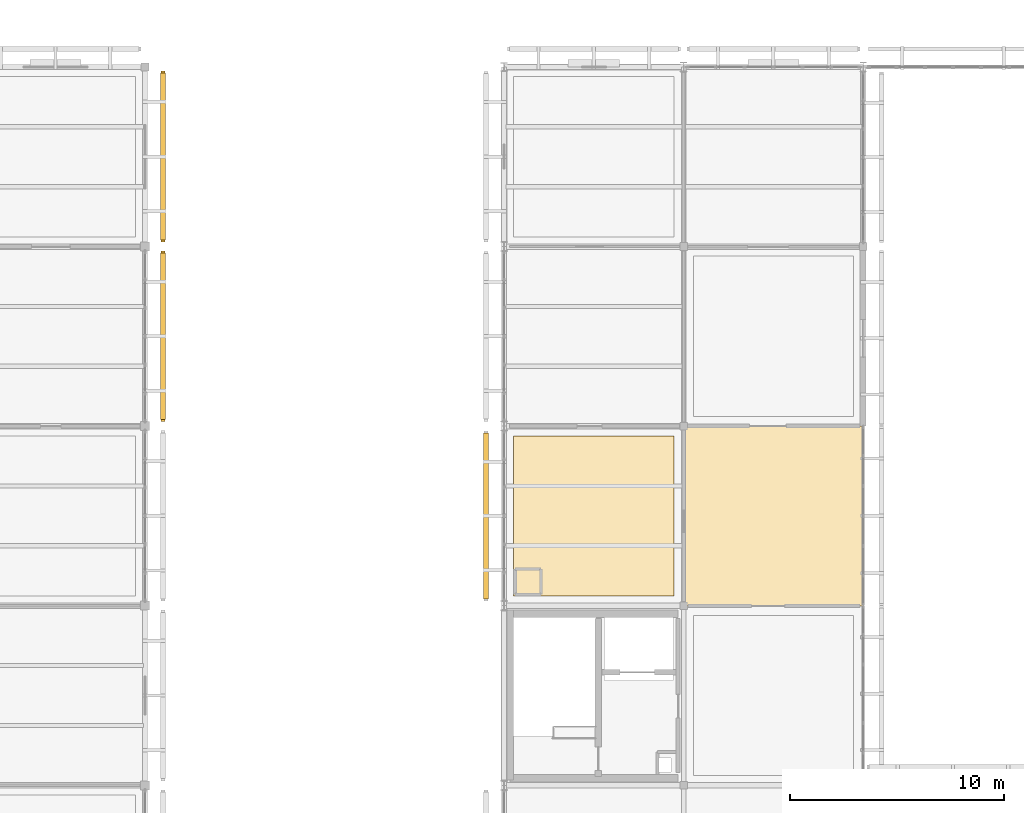
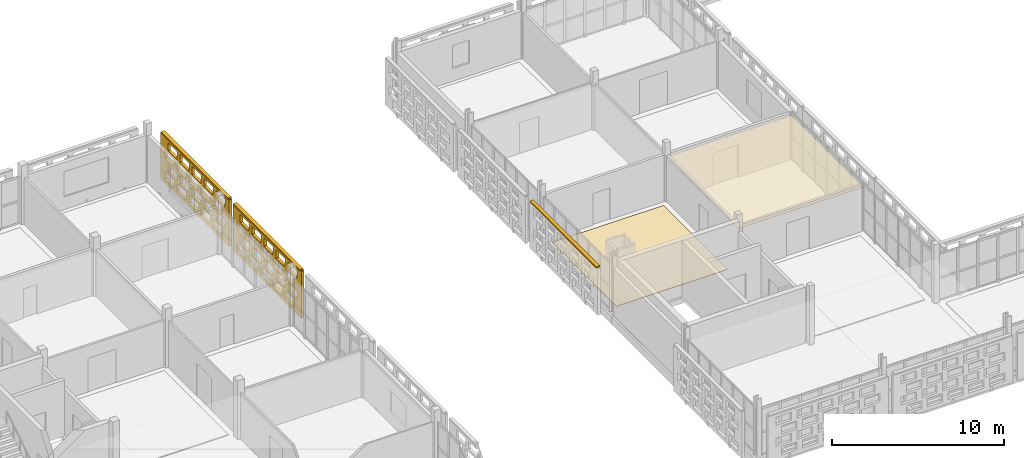
# One storey, part 116 of 140: 4 coverings, 3 shading devices, 40 openings.
"""IFC4 building model written with IfcOpenShell, lengths in metres."""

from ifc_helpers import new_model, si_unit, direction, frame, frame_2d, origin, origin_2d, place, context, subcontext, project, spatial, rectangle, extrude, material, layer, layer_set, type_object, element, save


model = new_model("IFC4")

# Units and contexts
model_context = context("Model", 3, precision=1e-05, world=origin(), true_north=direction((0.0, 1.0)))
body_context = subcontext(model_context, "Body", "Model", "MODEL_VIEW")
ifc_project = project(units=[si_unit("LENGTHUNIT", "METRE"), si_unit("AREAUNIT", "SQUARE_METRE"), si_unit("VOLUMEUNIT", "CUBIC_METRE"), si_unit("PLANEANGLEUNIT", "RADIAN"), si_unit("MASSUNIT", "GRAM", prefix="KILO")], contexts=[model_context])

# Site, building, storey
site_placement = place(None, origin())
site = spatial("IfcSite", under=ifc_project, at=site_placement, CompositionType="ELEMENT")
building_placement = place(site_placement, origin())
building = spatial("IfcBuilding", under=site, at=building_placement, Name="Varnapada Polytechnic", CompositionType="ELEMENT")
storey_placement = place(building_placement, frame((0.0, 0.0, 13.800048828125)))
storey = spatial("IfcBuildingStorey", under=building, at=storey_placement, Name="L03", CompositionType="ELEMENT", Elevation=13.800048828125)

# Coverings
ifc_material_1 = material(Name="Acoustic Rubber Seminar Flooring")
ifc_layer_1 = layer(ifc_material_1, 0.0400390625)
ifc_layer_set_1 = layer_set([ifc_layer_1], Name="Acoustic Rubber Seminar Flooring")
covering_type_1 = type_object("IfcCoveringType", Name="Floor Finish FLR-06", PredefinedType="FLOORING", material=ifc_layer_set_1)
covering_1_placement = place(storey_placement, frame((54.60009765625, 105.0, 0.0), z_axis=(0.0, 0.0, 1.0), x_axis=(1.0, 0.0, 0.0)))
element("IfcCovering", 1, at=covering_1_placement, inside=storey, type_object=covering_type_1, Name="L03 floor finish panel (7,13)", PredefinedType="FLOORING", context=body_context, shape_type="SweptSolid", body=[
    extrude(rectangle(XDim=7.5, YDim=7.5, at=origin_2d()), origin(), (0.0, 0.0, 1.0), 0.0400390625),
])
ifc_material_2 = material(Name="Perforated Timber Slatted Baffle Ceiling", Category="wood")
ifc_layer_2 = layer(ifc_material_2, 0.050048828125)
ifc_layer_set_2 = layer_set([ifc_layer_2], Name="Perforated Timber Slatted Baffle Ceiling")
covering_type_2 = type_object("IfcCoveringType", Name="Suspended Ceiling CLG-02", PredefinedType="CEILING", material=ifc_layer_set_2)
covering_2_placement = place(storey_placement, frame((63.0, 105.0, 3.02490234375), z_axis=(0.0, 0.0, 1.0), x_axis=(1.0, 0.0, 0.0)))
element("IfcCovering", 2, at=covering_2_placement, inside=storey, type_object=covering_type_2, Name="L03 suspended acoustic ceiling (8,13)", PredefinedType="CEILING", context=body_context, shape_type="SweptSolid", body=[
    extrude(rectangle(XDim=8.419921875, YDim=8.419921875, at=origin_2d()), origin(), (0.0, 0.0, 1.0), 0.050048828125),
])

# Covering, openings
ifc_material_3 = material(Name="Earth-toned architectural terracotta screen block", Category="masonry")
ifc_layer_3 = layer(ifc_material_3, 0.1201171875)
ifc_layer_set_3 = layer_set([ifc_layer_3], Name="Earth-toned architectural terracotta screen block")
covering_type_3 = type_object("IfcCoveringType", Name="Terracotta Screen Cladding CLD-01", PredefinedType="CLADDING", material=ifc_layer_set_3)
covering_3_placement = place(storey_placement, frame((34.449951171875, 117.389892578125, 0.0), z_axis=(0.0, 0.0, 1.0), x_axis=(0.0, -1.0, 0.0)))
covering_3 = element("IfcCovering", 3, at=covering_3_placement, inside=storey, type_object=covering_type_3, Name="L03 perforated terracotta block screen (30)", PredefinedType="CLADDING", context=body_context, shape_type="SweptSolid", body=[
    extrude(rectangle(XDim=7.97998046875, YDim=0.179931640625, at=frame_2d((3.989990234375, 0.0))), origin(), (0.0, 0.0, 1.0), 3.320068359375),
])
opening_1_placement = place(covering_3_placement, frame((0.489990234375, 0.0, 0.265625)))
element("IfcOpeningElement", 4, at=opening_1_placement, cuts=covering_3, Name="Screen perforation TBS-L03-029.1", PredefinedType="OPENING", context=body_context, shape_type="SweptSolid", body=[
    extrude(rectangle(XDim=1.0400390625, YDim=0.5810546875, at=frame_2d((0.52001953125, 0.29052734375))), frame((0.0, 0.099853515625, 0.0), z_axis=(0.0, -1.0, 0.0), x_axis=(1.0, 0.0, 0.0)), (0.0, 0.0, 1.0), 0.199951171875),
])
opening_2_placement = place(covering_3_placement, frame((1.889892578125, 0.0, 0.265625)))
element("IfcOpeningElement", 5, at=opening_2_placement, cuts=covering_3, Name="Screen perforation TBS-L03-029.2", PredefinedType="OPENING", context=body_context, shape_type="SweptSolid", body=[
    extrude(rectangle(XDim=1.0400390625, YDim=0.5810546875, at=frame_2d((0.52001953125, 0.29052734375))), frame((0.0, 0.099853515625, 0.0), z_axis=(0.0, -1.0, 0.0), x_axis=(1.0, 0.0, 0.0)), (0.0, 0.0, 1.0), 0.199951171875),
])
opening_3_placement = place(covering_3_placement, frame((3.2900390625, 0.0, 0.265625)))
element("IfcOpeningElement", 6, at=opening_3_placement, cuts=covering_3, Name="Screen perforation TBS-L03-029.3", PredefinedType="OPENING", context=body_context, shape_type="SweptSolid", body=[
    extrude(rectangle(XDim=1.0400390625, YDim=0.5810546875, at=frame_2d((0.52001953125, 0.29052734375))), frame((0.0, 0.099853515625, 0.0), z_axis=(0.0, -1.0, 0.0), x_axis=(1.0, 0.0, 0.0)), (0.0, 0.0, 1.0), 0.199951171875),
])
opening_4_placement = place(covering_3_placement, frame((4.68994140625, 0.0, 0.265625)))
element("IfcOpeningElement", 7, at=opening_4_placement, cuts=covering_3, Name="Screen perforation TBS-L03-029.4", PredefinedType="OPENING", context=body_context, shape_type="SweptSolid", body=[
    extrude(rectangle(XDim=1.0400390625, YDim=0.5810546875, at=frame_2d((0.52001953125, 0.29052734375))), frame((0.0, 0.099853515625, 0.0), z_axis=(0.0, -1.0, 0.0), x_axis=(1.0, 0.0, 0.0)), (0.0, 0.0, 1.0), 0.199951171875),
])
opening_5_placement = place(covering_3_placement, frame((6.090087890625, 0.0, 0.265625)))
element("IfcOpeningElement", 8, at=opening_5_placement, cuts=covering_3, Name="Screen perforation TBS-L03-029.5", PredefinedType="OPENING", context=body_context, shape_type="SweptSolid", body=[
    extrude(rectangle(XDim=1.0400390625, YDim=0.5810546875, at=frame_2d((0.52001953125, 0.29052734375))), frame((0.0, 0.099853515625, 0.0), z_axis=(0.0, -1.0, 0.0), x_axis=(1.0, 0.0, 0.0)), (0.0, 0.0, 1.0), 0.199951171875),
])
opening_6_placement = place(covering_3_placement, frame((0.85009765625, 0.0, 1.0126953125)))
element("IfcOpeningElement", 9, at=opening_6_placement, cuts=covering_3, Name="Screen perforation TBS-L03-029.6", PredefinedType="OPENING", context=body_context, shape_type="SweptSolid", body=[
    extrude(rectangle(XDim=1.0400390625, YDim=0.5810546875, at=frame_2d((0.52001953125, 0.29052734375))), frame((0.0, 0.099853515625, 0.0), z_axis=(0.0, -1.0, 0.0), x_axis=(1.0, 0.0, 0.0)), (0.0, 0.0, 1.0), 0.199951171875),
])
opening_7_placement = place(covering_3_placement, frame((2.25, 0.0, 1.0126953125)))
element("IfcOpeningElement", 10, at=opening_7_placement, cuts=covering_3, Name="Screen perforation TBS-L03-029.7", PredefinedType="OPENING", context=body_context, shape_type="SweptSolid", body=[
    extrude(rectangle(XDim=1.0400390625, YDim=0.5810546875, at=frame_2d((0.52001953125, 0.29052734375))), frame((0.0, 0.099853515625, 0.0), z_axis=(0.0, -1.0, 0.0), x_axis=(1.0, 0.0, 0.0)), (0.0, 0.0, 1.0), 0.199951171875),
])
opening_8_placement = place(covering_3_placement, frame((3.64990234375, 0.0, 1.0126953125)))
element("IfcOpeningElement", 11, at=opening_8_placement, cuts=covering_3, Name="Screen perforation TBS-L03-029.8", PredefinedType="OPENING", context=body_context, shape_type="SweptSolid", body=[
    extrude(rectangle(XDim=1.0400390625, YDim=0.5810546875, at=frame_2d((0.52001953125, 0.29052734375))), frame((0.0, 0.099853515625, 0.0), z_axis=(0.0, -1.0, 0.0), x_axis=(1.0, 0.0, 0.0)), (0.0, 0.0, 1.0), 0.199951171875),
])
opening_9_placement = place(covering_3_placement, frame((5.050048828125, 0.0, 1.0126953125)))
element("IfcOpeningElement", 12, at=opening_9_placement, cuts=covering_3, Name="Screen perforation TBS-L03-029.9", PredefinedType="OPENING", context=body_context, shape_type="SweptSolid", body=[
    extrude(rectangle(XDim=1.0400390625, YDim=0.5810546875, at=frame_2d((0.52001953125, 0.29052734375))), frame((0.0, 0.099853515625, 0.0), z_axis=(0.0, -1.0, 0.0), x_axis=(1.0, 0.0, 0.0)), (0.0, 0.0, 1.0), 0.199951171875),
])
opening_10_placement = place(covering_3_placement, frame((6.449951171875, 0.0, 1.0126953125)))
element("IfcOpeningElement", 13, at=opening_10_placement, cuts=covering_3, Name="Screen perforation TBS-L03-029.10", PredefinedType="OPENING", context=body_context, shape_type="SweptSolid", body=[
    extrude(rectangle(XDim=1.0400390625, YDim=0.5810546875, at=frame_2d((0.52001953125, 0.29052734375))), frame((0.0, 0.099853515625, 0.0), z_axis=(0.0, -1.0, 0.0), x_axis=(1.0, 0.0, 0.0)), (0.0, 0.0, 1.0), 0.199951171875),
])
opening_11_placement = place(covering_3_placement, frame((0.489990234375, 0.0, 1.759521484375)))
element("IfcOpeningElement", 14, at=opening_11_placement, cuts=covering_3, Name="Screen perforation TBS-L03-029.11", PredefinedType="OPENING", context=body_context, shape_type="SweptSolid", body=[
    extrude(rectangle(XDim=1.0400390625, YDim=0.5810546875, at=frame_2d((0.52001953125, 0.29052734375))), frame((0.0, 0.099853515625, 0.0), z_axis=(0.0, -1.0, 0.0), x_axis=(1.0, 0.0, 0.0)), (0.0, 0.0, 1.0), 0.199951171875),
])
opening_12_placement = place(covering_3_placement, frame((1.889892578125, 0.0, 1.759521484375)))
element("IfcOpeningElement", 15, at=opening_12_placement, cuts=covering_3, Name="Screen perforation TBS-L03-029.12", PredefinedType="OPENING", context=body_context, shape_type="SweptSolid", body=[
    extrude(rectangle(XDim=1.0400390625, YDim=0.5810546875, at=frame_2d((0.52001953125, 0.29052734375))), frame((0.0, 0.099853515625, 0.0), z_axis=(0.0, -1.0, 0.0), x_axis=(1.0, 0.0, 0.0)), (0.0, 0.0, 1.0), 0.199951171875),
])
opening_13_placement = place(covering_3_placement, frame((3.2900390625, 0.0, 1.759521484375)))
element("IfcOpeningElement", 16, at=opening_13_placement, cuts=covering_3, Name="Screen perforation TBS-L03-029.13", PredefinedType="OPENING", context=body_context, shape_type="SweptSolid", body=[
    extrude(rectangle(XDim=1.0400390625, YDim=0.5810546875, at=frame_2d((0.52001953125, 0.29052734375))), frame((0.0, 0.099853515625, 0.0), z_axis=(0.0, -1.0, 0.0), x_axis=(1.0, 0.0, 0.0)), (0.0, 0.0, 1.0), 0.199951171875),
])
opening_14_placement = place(covering_3_placement, frame((4.68994140625, 0.0, 1.759521484375)))
element("IfcOpeningElement", 17, at=opening_14_placement, cuts=covering_3, Name="Screen perforation TBS-L03-029.14", PredefinedType="OPENING", context=body_context, shape_type="SweptSolid", body=[
    extrude(rectangle(XDim=1.0400390625, YDim=0.5810546875, at=frame_2d((0.52001953125, 0.29052734375))), frame((0.0, 0.099853515625, 0.0), z_axis=(0.0, -1.0, 0.0), x_axis=(1.0, 0.0, 0.0)), (0.0, 0.0, 1.0), 0.199951171875),
])
opening_15_placement = place(covering_3_placement, frame((6.090087890625, 0.0, 1.759521484375)))
element("IfcOpeningElement", 18, at=opening_15_placement, cuts=covering_3, Name="Screen perforation TBS-L03-029.15", PredefinedType="OPENING", context=body_context, shape_type="SweptSolid", body=[
    extrude(rectangle(XDim=1.0400390625, YDim=0.5810546875, at=frame_2d((0.52001953125, 0.29052734375))), frame((0.0, 0.099853515625, 0.0), z_axis=(0.0, -1.0, 0.0), x_axis=(1.0, 0.0, 0.0)), (0.0, 0.0, 1.0), 0.199951171875),
])
opening_16_placement = place(covering_3_placement, frame((0.85009765625, 0.0, 2.506591796875)))
element("IfcOpeningElement", 19, at=opening_16_placement, cuts=covering_3, Name="Screen perforation TBS-L03-029.16", PredefinedType="OPENING", context=body_context, shape_type="SweptSolid", body=[
    extrude(rectangle(XDim=1.0400390625, YDim=0.5810546875, at=frame_2d((0.52001953125, 0.29052734375))), frame((0.0, 0.099853515625, 0.0), z_axis=(0.0, -1.0, 0.0), x_axis=(1.0, 0.0, 0.0)), (0.0, 0.0, 1.0), 0.199951171875),
])
opening_17_placement = place(covering_3_placement, frame((2.25, 0.0, 2.506591796875)))
element("IfcOpeningElement", 20, at=opening_17_placement, cuts=covering_3, Name="Screen perforation TBS-L03-029.17", PredefinedType="OPENING", context=body_context, shape_type="SweptSolid", body=[
    extrude(rectangle(XDim=1.0400390625, YDim=0.5810546875, at=frame_2d((0.52001953125, 0.29052734375))), frame((0.0, 0.099853515625, 0.0), z_axis=(0.0, -1.0, 0.0), x_axis=(1.0, 0.0, 0.0)), (0.0, 0.0, 1.0), 0.199951171875),
])
opening_18_placement = place(covering_3_placement, frame((3.64990234375, 0.0, 2.506591796875)))
element("IfcOpeningElement", 21, at=opening_18_placement, cuts=covering_3, Name="Screen perforation TBS-L03-029.18", PredefinedType="OPENING", context=body_context, shape_type="SweptSolid", body=[
    extrude(rectangle(XDim=1.0400390625, YDim=0.5810546875, at=frame_2d((0.52001953125, 0.29052734375))), frame((0.0, 0.099853515625, 0.0), z_axis=(0.0, -1.0, 0.0), x_axis=(1.0, 0.0, 0.0)), (0.0, 0.0, 1.0), 0.199951171875),
])
opening_19_placement = place(covering_3_placement, frame((5.050048828125, 0.0, 2.506591796875)))
element("IfcOpeningElement", 22, at=opening_19_placement, cuts=covering_3, Name="Screen perforation TBS-L03-029.19", PredefinedType="OPENING", context=body_context, shape_type="SweptSolid", body=[
    extrude(rectangle(XDim=1.0400390625, YDim=0.5810546875, at=frame_2d((0.52001953125, 0.29052734375))), frame((0.0, 0.099853515625, 0.0), z_axis=(0.0, -1.0, 0.0), x_axis=(1.0, 0.0, 0.0)), (0.0, 0.0, 1.0), 0.199951171875),
])
opening_20_placement = place(covering_3_placement, frame((6.449951171875, 0.0, 2.506591796875)))
element("IfcOpeningElement", 23, at=opening_20_placement, cuts=covering_3, Name="Screen perforation TBS-L03-029.20", PredefinedType="OPENING", context=body_context, shape_type="SweptSolid", body=[
    extrude(rectangle(XDim=1.0400390625, YDim=0.5810546875, at=frame_2d((0.52001953125, 0.29052734375))), frame((0.0, 0.099853515625, 0.0), z_axis=(0.0, -1.0, 0.0), x_axis=(1.0, 0.0, 0.0)), (0.0, 0.0, 1.0), 0.199951171875),
])

covering_4_placement = place(storey_placement, frame((34.449951171875, 125.81005859375, 0.0), z_axis=(0.0, 0.0, 1.0), x_axis=(0.0, -1.0, 0.0)))
covering_4 = element("IfcCovering", 24, at=covering_4_placement, inside=storey, type_object=covering_type_3, Name="L03 perforated terracotta block screen (32)", PredefinedType="CLADDING", context=body_context, shape_type="SweptSolid", body=[
    extrude(rectangle(XDim=8.0, YDim=0.179931640625, at=frame_2d((4.0, 0.0))), origin(), (0.0, 0.0, 1.0), 3.320068359375),
])
opening_21_placement = place(covering_4_placement, frame((0.5, 0.0, 0.265625)))
element("IfcOpeningElement", 25, at=opening_21_placement, cuts=covering_4, Name="Screen perforation TBS-L03-031.1", PredefinedType="OPENING", context=body_context, shape_type="SweptSolid", body=[
    extrude(rectangle(XDim=1.0400390625, YDim=0.5810546875, at=frame_2d((0.52001953125, 0.29052734375))), frame((0.0, 0.099853515625, 0.0), z_axis=(0.0, -1.0, 0.0), x_axis=(1.0, 0.0, 0.0)), (0.0, 0.0, 1.0), 0.199951171875),
])
opening_22_placement = place(covering_4_placement, frame((1.89990234375, 0.0, 0.265625)))
element("IfcOpeningElement", 26, at=opening_22_placement, cuts=covering_4, Name="Screen perforation TBS-L03-031.2", PredefinedType="OPENING", context=body_context, shape_type="SweptSolid", body=[
    extrude(rectangle(XDim=1.0400390625, YDim=0.5810546875, at=frame_2d((0.52001953125, 0.29052734375))), frame((0.0, 0.099853515625, 0.0), z_axis=(0.0, -1.0, 0.0), x_axis=(1.0, 0.0, 0.0)), (0.0, 0.0, 1.0), 0.199951171875),
])
opening_23_placement = place(covering_4_placement, frame((3.300048828125, 0.0, 0.265625)))
element("IfcOpeningElement", 27, at=opening_23_placement, cuts=covering_4, Name="Screen perforation TBS-L03-031.3", PredefinedType="OPENING", context=body_context, shape_type="SweptSolid", body=[
    extrude(rectangle(XDim=1.0400390625, YDim=0.5810546875, at=frame_2d((0.52001953125, 0.29052734375))), frame((0.0, 0.099853515625, 0.0), z_axis=(0.0, -1.0, 0.0), x_axis=(1.0, 0.0, 0.0)), (0.0, 0.0, 1.0), 0.199951171875),
])
opening_24_placement = place(covering_4_placement, frame((4.699951171875, 0.0, 0.265625)))
element("IfcOpeningElement", 28, at=opening_24_placement, cuts=covering_4, Name="Screen perforation TBS-L03-031.4", PredefinedType="OPENING", context=body_context, shape_type="SweptSolid", body=[
    extrude(rectangle(XDim=1.0400390625, YDim=0.5810546875, at=frame_2d((0.52001953125, 0.29052734375))), frame((0.0, 0.099853515625, 0.0), z_axis=(0.0, -1.0, 0.0), x_axis=(1.0, 0.0, 0.0)), (0.0, 0.0, 1.0), 0.199951171875),
])
opening_25_placement = place(covering_4_placement, frame((6.10009765625, 0.0, 0.265625)))
element("IfcOpeningElement", 29, at=opening_25_placement, cuts=covering_4, Name="Screen perforation TBS-L03-031.5", PredefinedType="OPENING", context=body_context, shape_type="SweptSolid", body=[
    extrude(rectangle(XDim=1.0400390625, YDim=0.5810546875, at=frame_2d((0.52001953125, 0.29052734375))), frame((0.0, 0.099853515625, 0.0), z_axis=(0.0, -1.0, 0.0), x_axis=(1.0, 0.0, 0.0)), (0.0, 0.0, 1.0), 0.199951171875),
])
opening_26_placement = place(covering_4_placement, frame((0.860107421875, 0.0, 1.0126953125)))
element("IfcOpeningElement", 30, at=opening_26_placement, cuts=covering_4, Name="Screen perforation TBS-L03-031.6", PredefinedType="OPENING", context=body_context, shape_type="SweptSolid", body=[
    extrude(rectangle(XDim=1.0400390625, YDim=0.5810546875, at=frame_2d((0.52001953125, 0.29052734375))), frame((0.0, 0.099853515625, 0.0), z_axis=(0.0, -1.0, 0.0), x_axis=(1.0, 0.0, 0.0)), (0.0, 0.0, 1.0), 0.199951171875),
])
opening_27_placement = place(covering_4_placement, frame((2.260009765625, 0.0, 1.0126953125)))
element("IfcOpeningElement", 31, at=opening_27_placement, cuts=covering_4, Name="Screen perforation TBS-L03-031.7", PredefinedType="OPENING", context=body_context, shape_type="SweptSolid", body=[
    extrude(rectangle(XDim=1.0400390625, YDim=0.5810546875, at=frame_2d((0.52001953125, 0.29052734375))), frame((0.0, 0.099853515625, 0.0), z_axis=(0.0, -1.0, 0.0), x_axis=(1.0, 0.0, 0.0)), (0.0, 0.0, 1.0), 0.199951171875),
])
opening_28_placement = place(covering_4_placement, frame((3.659912109375, 0.0, 1.0126953125)))
element("IfcOpeningElement", 32, at=opening_28_placement, cuts=covering_4, Name="Screen perforation TBS-L03-031.8", PredefinedType="OPENING", context=body_context, shape_type="SweptSolid", body=[
    extrude(rectangle(XDim=1.0400390625, YDim=0.5810546875, at=frame_2d((0.52001953125, 0.29052734375))), frame((0.0, 0.099853515625, 0.0), z_axis=(0.0, -1.0, 0.0), x_axis=(1.0, 0.0, 0.0)), (0.0, 0.0, 1.0), 0.199951171875),
])
opening_29_placement = place(covering_4_placement, frame((5.06005859375, 0.0, 1.0126953125)))
element("IfcOpeningElement", 33, at=opening_29_placement, cuts=covering_4, Name="Screen perforation TBS-L03-031.9", PredefinedType="OPENING", context=body_context, shape_type="SweptSolid", body=[
    extrude(rectangle(XDim=1.0400390625, YDim=0.5810546875, at=frame_2d((0.52001953125, 0.29052734375))), frame((0.0, 0.099853515625, 0.0), z_axis=(0.0, -1.0, 0.0), x_axis=(1.0, 0.0, 0.0)), (0.0, 0.0, 1.0), 0.199951171875),
])
opening_30_placement = place(covering_4_placement, frame((6.4599609375, 0.0, 1.0126953125)))
element("IfcOpeningElement", 34, at=opening_30_placement, cuts=covering_4, Name="Screen perforation TBS-L03-031.10", PredefinedType="OPENING", context=body_context, shape_type="SweptSolid", body=[
    extrude(rectangle(XDim=1.0400390625, YDim=0.5810546875, at=frame_2d((0.52001953125, 0.29052734375))), frame((0.0, 0.099853515625, 0.0), z_axis=(0.0, -1.0, 0.0), x_axis=(1.0, 0.0, 0.0)), (0.0, 0.0, 1.0), 0.199951171875),
])
opening_31_placement = place(covering_4_placement, frame((0.5, 0.0, 1.759521484375)))
element("IfcOpeningElement", 35, at=opening_31_placement, cuts=covering_4, Name="Screen perforation TBS-L03-031.11", PredefinedType="OPENING", context=body_context, shape_type="SweptSolid", body=[
    extrude(rectangle(XDim=1.0400390625, YDim=0.5810546875, at=frame_2d((0.52001953125, 0.29052734375))), frame((0.0, 0.099853515625, 0.0), z_axis=(0.0, -1.0, 0.0), x_axis=(1.0, 0.0, 0.0)), (0.0, 0.0, 1.0), 0.199951171875),
])
opening_32_placement = place(covering_4_placement, frame((1.89990234375, 0.0, 1.759521484375)))
element("IfcOpeningElement", 36, at=opening_32_placement, cuts=covering_4, Name="Screen perforation TBS-L03-031.12", PredefinedType="OPENING", context=body_context, shape_type="SweptSolid", body=[
    extrude(rectangle(XDim=1.0400390625, YDim=0.5810546875, at=frame_2d((0.52001953125, 0.29052734375))), frame((0.0, 0.099853515625, 0.0), z_axis=(0.0, -1.0, 0.0), x_axis=(1.0, 0.0, 0.0)), (0.0, 0.0, 1.0), 0.199951171875),
])
opening_33_placement = place(covering_4_placement, frame((3.300048828125, 0.0, 1.759521484375)))
element("IfcOpeningElement", 37, at=opening_33_placement, cuts=covering_4, Name="Screen perforation TBS-L03-031.13", PredefinedType="OPENING", context=body_context, shape_type="SweptSolid", body=[
    extrude(rectangle(XDim=1.0400390625, YDim=0.5810546875, at=frame_2d((0.52001953125, 0.29052734375))), frame((0.0, 0.099853515625, 0.0), z_axis=(0.0, -1.0, 0.0), x_axis=(1.0, 0.0, 0.0)), (0.0, 0.0, 1.0), 0.199951171875),
])
opening_34_placement = place(covering_4_placement, frame((4.699951171875, 0.0, 1.759521484375)))
element("IfcOpeningElement", 38, at=opening_34_placement, cuts=covering_4, Name="Screen perforation TBS-L03-031.14", PredefinedType="OPENING", context=body_context, shape_type="SweptSolid", body=[
    extrude(rectangle(XDim=1.0400390625, YDim=0.5810546875, at=frame_2d((0.52001953125, 0.29052734375))), frame((0.0, 0.099853515625, 0.0), z_axis=(0.0, -1.0, 0.0), x_axis=(1.0, 0.0, 0.0)), (0.0, 0.0, 1.0), 0.199951171875),
])
opening_35_placement = place(covering_4_placement, frame((6.10009765625, 0.0, 1.759521484375)))
element("IfcOpeningElement", 39, at=opening_35_placement, cuts=covering_4, Name="Screen perforation TBS-L03-031.15", PredefinedType="OPENING", context=body_context, shape_type="SweptSolid", body=[
    extrude(rectangle(XDim=1.0400390625, YDim=0.5810546875, at=frame_2d((0.52001953125, 0.29052734375))), frame((0.0, 0.099853515625, 0.0), z_axis=(0.0, -1.0, 0.0), x_axis=(1.0, 0.0, 0.0)), (0.0, 0.0, 1.0), 0.199951171875),
])
opening_36_placement = place(covering_4_placement, frame((0.860107421875, 0.0, 2.506591796875)))
element("IfcOpeningElement", 40, at=opening_36_placement, cuts=covering_4, Name="Screen perforation TBS-L03-031.16", PredefinedType="OPENING", context=body_context, shape_type="SweptSolid", body=[
    extrude(rectangle(XDim=1.0400390625, YDim=0.5810546875, at=frame_2d((0.52001953125, 0.29052734375))), frame((0.0, 0.099853515625, 0.0), z_axis=(0.0, -1.0, 0.0), x_axis=(1.0, 0.0, 0.0)), (0.0, 0.0, 1.0), 0.199951171875),
])
opening_37_placement = place(covering_4_placement, frame((2.260009765625, 0.0, 2.506591796875)))
element("IfcOpeningElement", 41, at=opening_37_placement, cuts=covering_4, Name="Screen perforation TBS-L03-031.17", PredefinedType="OPENING", context=body_context, shape_type="SweptSolid", body=[
    extrude(rectangle(XDim=1.0400390625, YDim=0.5810546875, at=frame_2d((0.52001953125, 0.29052734375))), frame((0.0, 0.099853515625, 0.0), z_axis=(0.0, -1.0, 0.0), x_axis=(1.0, 0.0, 0.0)), (0.0, 0.0, 1.0), 0.199951171875),
])
opening_38_placement = place(covering_4_placement, frame((3.659912109375, 0.0, 2.506591796875)))
element("IfcOpeningElement", 42, at=opening_38_placement, cuts=covering_4, Name="Screen perforation TBS-L03-031.18", PredefinedType="OPENING", context=body_context, shape_type="SweptSolid", body=[
    extrude(rectangle(XDim=1.0400390625, YDim=0.5810546875, at=frame_2d((0.52001953125, 0.29052734375))), frame((0.0, 0.099853515625, 0.0), z_axis=(0.0, -1.0, 0.0), x_axis=(1.0, 0.0, 0.0)), (0.0, 0.0, 1.0), 0.199951171875),
])
opening_39_placement = place(covering_4_placement, frame((5.06005859375, 0.0, 2.506591796875)))
element("IfcOpeningElement", 43, at=opening_39_placement, cuts=covering_4, Name="Screen perforation TBS-L03-031.19", PredefinedType="OPENING", context=body_context, shape_type="SweptSolid", body=[
    extrude(rectangle(XDim=1.0400390625, YDim=0.5810546875, at=frame_2d((0.52001953125, 0.29052734375))), frame((0.0, 0.099853515625, 0.0), z_axis=(0.0, -1.0, 0.0), x_axis=(1.0, 0.0, 0.0)), (0.0, 0.0, 1.0), 0.199951171875),
])
opening_40_placement = place(covering_4_placement, frame((6.4599609375, 0.0, 2.506591796875)))
element("IfcOpeningElement", 44, at=opening_40_placement, cuts=covering_4, Name="Screen perforation TBS-L03-031.20", PredefinedType="OPENING", context=body_context, shape_type="SweptSolid", body=[
    extrude(rectangle(XDim=1.0400390625, YDim=0.5810546875, at=frame_2d((0.52001953125, 0.29052734375))), frame((0.0, 0.099853515625, 0.0), z_axis=(0.0, -1.0, 0.0), x_axis=(1.0, 0.0, 0.0)), (0.0, 0.0, 1.0), 0.199951171875),
])

# Shading devices
ifc_layer_4 = layer(ifc_material_3, 0.179931640625)
ifc_layer_set_4 = layer_set([ifc_layer_4], Name="Earth-toned architectural terracotta screen block")
shading_device_type = type_object("IfcShadingDeviceType", Name="Terracotta Screen SCR-01", PredefinedType="USERDEFINED", material=ifc_layer_set_4)
shading_device_1_placement = place(storey_placement, frame((34.449951171875, 113.39990234375, 3.309814453125), z_axis=(0.0, 0.0, 1.0), x_axis=(0.0, -1.0, 0.0)))
element("IfcShadingDevice", 45, at=shading_device_1_placement, inside=storey, type_object=shading_device_type, Name="L03 perforated terracotta screen hood 365", ObjectType="SCREEN", PredefinedType="USERDEFINED", context=body_context, shape_type="SweptSolid", body=[
    extrude(rectangle(XDim=7.780029296875, YDim=0.239990234375, at=origin_2d()), origin(), (0.0, 0.0, 1.0), 0.10009765625),
])
shading_device_2_placement = place(storey_placement, frame((34.449951171875, 121.81005859375, 3.309814453125), z_axis=(0.0, 0.0, 1.0), x_axis=(0.0, -1.0, 0.0)))
element("IfcShadingDevice", 46, at=shading_device_2_placement, inside=storey, type_object=shading_device_type, Name="L03 perforated terracotta screen hood 367", ObjectType="SCREEN", PredefinedType="USERDEFINED", context=body_context, shape_type="SweptSolid", body=[
    extrude(rectangle(XDim=7.800048828125, YDim=0.239990234375, at=origin_2d()), origin(), (0.0, 0.0, 1.0), 0.10009765625),
])
shading_device_3_placement = place(storey_placement, frame((49.550048828125, 105.0, 3.309814453125), z_axis=(0.0, 0.0, 1.0), x_axis=(0.0, 1.0, 0.0)))
element("IfcShadingDevice", 47, at=shading_device_3_placement, inside=storey, type_object=shading_device_type, Name="L03 perforated terracotta screen hood 374", ObjectType="SCREEN", PredefinedType="USERDEFINED", context=body_context, shape_type="SweptSolid", body=[
    extrude(rectangle(XDim=7.75, YDim=0.239990234375, at=origin_2d()), origin(), (0.0, 0.0, 1.0), 0.10009765625),
])

save(model, "model.ifc")
